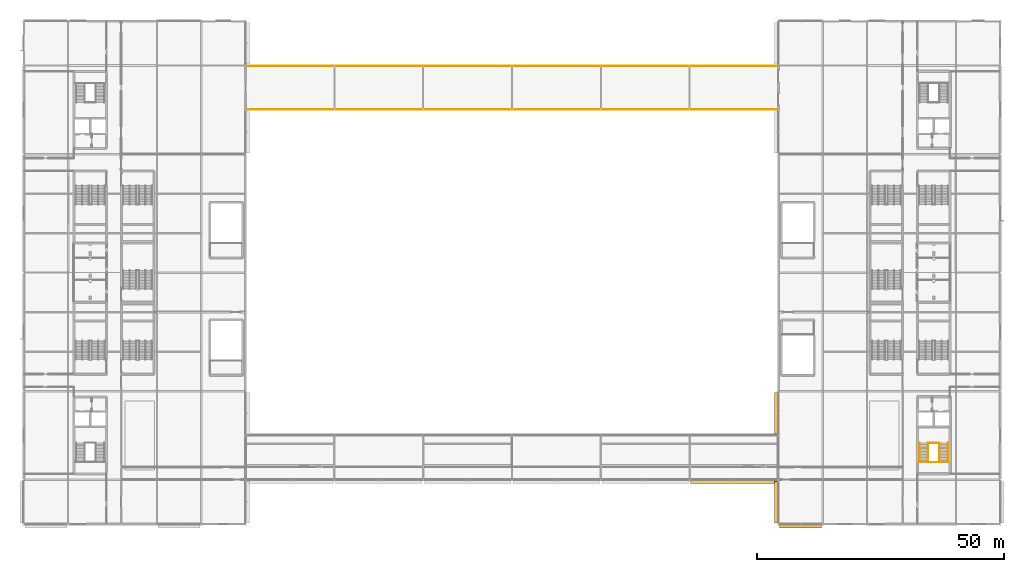
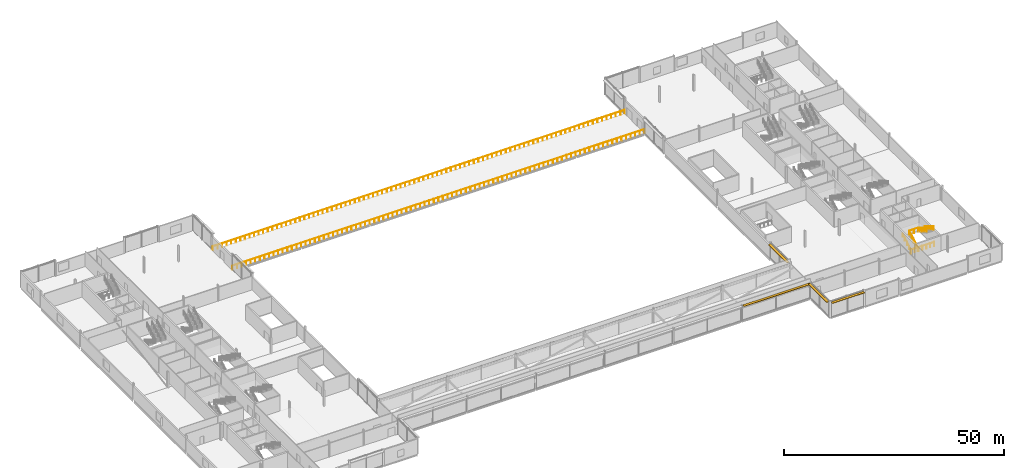
# One storey, part 69 of 73: 6 railings, 4 shading devices.
"""IFC4 building model written with IfcOpenShell, lengths in metres."""

from ifc_helpers import new_model, si_unit, direction, frame, origin, origin_2d, place, context, subcontext, project, spatial, rectangle, circle, extrude, material, type_object, element, save


model = new_model("IFC4")

# Units and contexts
model_context = context("Model", 3, precision=1e-05, world=origin(), true_north=direction((0.0, 1.0)))
body_context = subcontext(model_context, "Body", "Model", "MODEL_VIEW")
ifc_project = project(units=[si_unit("LENGTHUNIT", "METRE"), si_unit("AREAUNIT", "SQUARE_METRE"), si_unit("VOLUMEUNIT", "CUBIC_METRE"), si_unit("PLANEANGLEUNIT", "RADIAN"), si_unit("MASSUNIT", "GRAM", prefix="KILO")], contexts=[model_context])

# Site, building, storey
site_placement = place(None, origin())
site = spatial("IfcSite", under=ifc_project, at=site_placement, CompositionType="ELEMENT")
building_placement = place(site_placement, origin())
building = spatial("IfcBuilding", under=site, at=building_placement, Name="Kisiwana Market Hall", CompositionType="ELEMENT")
storey_placement = place(building_placement, frame((0.0, 0.0, 33.300048828125)))
storey = spatial("IfcBuildingStorey", under=building, at=storey_placement, Name="L07", CompositionType="ELEMENT", Elevation=33.300048828125)

# Railings
ifc_material_1 = material(Name="Steel S275", Category="steel")
railing_type_1 = type_object("IfcRailingType", Name="RL-BALUST-1100", PredefinedType="BALUSTRADE", material=ifc_material_1)
railing_1_placement = place(storey_placement, frame((45.050048828125, 93.080078125, 0.0)))
element("IfcRailing", 1, at=railing_1_placement, inside=storey, type_object=railing_type_1, Name="L07 North Skybridge Terrace Inner Edge Guardrail 1100 RL-1698", PredefinedType="BALUSTRADE", context=body_context, shape_type="SweptSolid", body=[
    extrude(circle(Radius=0.02392578125, at=origin_2d()), frame((0.0, 0.0, 1.076171875), z_axis=(1.0, 0.0, 0.0), x_axis=(0.0, 1.0, 0.0)), (0.0, 0.0, 1.0), 107.89990234375),
    extrude(circle(Radius=0.02099609375, at=origin_2d()), origin(), (0.0, 0.0, 1.0), 1.052001953125),
    extrude(circle(Radius=0.02099609375, at=origin_2d()), frame((1.198974609375, 0.0, 0.0)), (0.0, 0.0, 1.0), 1.052001953125),
    extrude(circle(Radius=0.02099609375, at=origin_2d()), frame((2.397705078125, 0.0, 0.0)), (0.0, 0.0, 1.0), 1.052001953125),
    extrude(circle(Radius=0.02099609375, at=origin_2d()), frame((3.5966796875, 0.0, 0.0)), (0.0, 0.0, 1.0), 1.052001953125),
    extrude(circle(Radius=0.02099609375, at=origin_2d()), frame((4.795654296875, 0.0, 0.0)), (0.0, 0.0, 1.0), 1.052001953125),
    extrude(circle(Radius=0.02099609375, at=origin_2d()), frame((5.994384765625, 0.0, 0.0)), (0.0, 0.0, 1.0), 1.052001953125),
    extrude(circle(Radius=0.02099609375, at=origin_2d()), frame((7.193359375, 0.0, 0.0)), (0.0, 0.0, 1.0), 1.052001953125),
    extrude(circle(Radius=0.02099609375, at=origin_2d()), frame((8.392333984375, 0.0, 0.0)), (0.0, 0.0, 1.0), 1.052001953125),
    extrude(circle(Radius=0.02099609375, at=origin_2d()), frame((9.591064453125, 0.0, 0.0)), (0.0, 0.0, 1.0), 1.052001953125),
    extrude(circle(Radius=0.02099609375, at=origin_2d()), frame((10.7900390625, 0.0, 0.0)), (0.0, 0.0, 1.0), 1.052001953125),
    extrude(circle(Radius=0.02099609375, at=origin_2d()), frame((11.98876953125, 0.0, 0.0)), (0.0, 0.0, 1.0), 1.052001953125),
    extrude(circle(Radius=0.02099609375, at=origin_2d()), frame((13.187744140625, 0.0, 0.0)), (0.0, 0.0, 1.0), 1.052001953125),
    extrude(circle(Radius=0.02099609375, at=origin_2d()), frame((14.38671875, 0.0, 0.0)), (0.0, 0.0, 1.0), 1.052001953125),
    extrude(circle(Radius=0.02099609375, at=origin_2d()), frame((15.58544921875, 0.0, 0.0)), (0.0, 0.0, 1.0), 1.052001953125),
    extrude(circle(Radius=0.02099609375, at=origin_2d()), frame((16.784423828125, 0.0, 0.0)), (0.0, 0.0, 1.0), 1.052001953125),
    extrude(circle(Radius=0.02099609375, at=origin_2d()), frame((17.9833984375, 0.0, 0.0)), (0.0, 0.0, 1.0), 1.052001953125),
    extrude(circle(Radius=0.02099609375, at=origin_2d()), frame((19.18212890625, 0.0, 0.0)), (0.0, 0.0, 1.0), 1.052001953125),
    extrude(circle(Radius=0.02099609375, at=origin_2d()), frame((20.381103515625, 0.0, 0.0)), (0.0, 0.0, 1.0), 1.052001953125),
    extrude(circle(Radius=0.02099609375, at=origin_2d()), frame((21.580078125, 0.0, 0.0)), (0.0, 0.0, 1.0), 1.052001953125),
    extrude(circle(Radius=0.02099609375, at=origin_2d()), frame((22.77880859375, 0.0, 0.0)), (0.0, 0.0, 1.0), 1.052001953125),
    extrude(circle(Radius=0.02099609375, at=origin_2d()), frame((23.977783203125, 0.0, 0.0)), (0.0, 0.0, 1.0), 1.052001953125),
    extrude(circle(Radius=0.02099609375, at=origin_2d()), frame((25.1767578125, 0.0, 0.0)), (0.0, 0.0, 1.0), 1.052001953125),
    extrude(circle(Radius=0.02099609375, at=origin_2d()), frame((26.37548828125, 0.0, 0.0)), (0.0, 0.0, 1.0), 1.052001953125),
    extrude(circle(Radius=0.02099609375, at=origin_2d()), frame((27.574462890625, 0.0, 0.0)), (0.0, 0.0, 1.0), 1.052001953125),
    extrude(circle(Radius=0.02099609375, at=origin_2d()), frame((28.773193359375, 0.0, 0.0)), (0.0, 0.0, 1.0), 1.052001953125),
    extrude(circle(Radius=0.02099609375, at=origin_2d()), frame((29.97216796875, 0.0, 0.0)), (0.0, 0.0, 1.0), 1.052001953125),
    extrude(circle(Radius=0.02099609375, at=origin_2d()), frame((31.171142578125, 0.0, 0.0)), (0.0, 0.0, 1.0), 1.052001953125),
    extrude(circle(Radius=0.02099609375, at=origin_2d()), frame((32.369873046875, 0.0, 0.0)), (0.0, 0.0, 1.0), 1.052001953125),
    extrude(circle(Radius=0.02099609375, at=origin_2d()), frame((33.56884765625, 0.0, 0.0)), (0.0, 0.0, 1.0), 1.052001953125),
    extrude(circle(Radius=0.02099609375, at=origin_2d()), frame((34.767822265625, 0.0, 0.0)), (0.0, 0.0, 1.0), 1.052001953125),
    extrude(circle(Radius=0.02099609375, at=origin_2d()), frame((35.966552734375, 0.0, 0.0)), (0.0, 0.0, 1.0), 1.052001953125),
    extrude(circle(Radius=0.02099609375, at=origin_2d()), frame((37.16552734375, 0.0, 0.0)), (0.0, 0.0, 1.0), 1.052001953125),
    extrude(circle(Radius=0.02099609375, at=origin_2d()), frame((38.364501953125, 0.0, 0.0)), (0.0, 0.0, 1.0), 1.052001953125),
    extrude(circle(Radius=0.02099609375, at=origin_2d()), frame((39.563232421875, 0.0, 0.0)), (0.0, 0.0, 1.0), 1.052001953125),
    extrude(circle(Radius=0.02099609375, at=origin_2d()), frame((40.76220703125, 0.0, 0.0)), (0.0, 0.0, 1.0), 1.052001953125),
    extrude(circle(Radius=0.02099609375, at=origin_2d()), frame((41.961181640625, 0.0, 0.0)), (0.0, 0.0, 1.0), 1.052001953125),
    extrude(circle(Radius=0.02099609375, at=origin_2d()), frame((43.159912109375, 0.0, 0.0)), (0.0, 0.0, 1.0), 1.052001953125),
    extrude(circle(Radius=0.02099609375, at=origin_2d()), frame((44.35888671875, 0.0, 0.0)), (0.0, 0.0, 1.0), 1.052001953125),
    extrude(circle(Radius=0.02099609375, at=origin_2d()), frame((45.5576171875, 0.0, 0.0)), (0.0, 0.0, 1.0), 1.052001953125),
    extrude(circle(Radius=0.02099609375, at=origin_2d()), frame((46.756591796875, 0.0, 0.0)), (0.0, 0.0, 1.0), 1.052001953125),
    extrude(circle(Radius=0.02099609375, at=origin_2d()), frame((47.95556640625, 0.0, 0.0)), (0.0, 0.0, 1.0), 1.052001953125),
    extrude(circle(Radius=0.02099609375, at=origin_2d()), frame((49.154296875, 0.0, 0.0)), (0.0, 0.0, 1.0), 1.052001953125),
    extrude(circle(Radius=0.02099609375, at=origin_2d()), frame((50.353271484375, 0.0, 0.0)), (0.0, 0.0, 1.0), 1.052001953125),
    extrude(circle(Radius=0.02099609375, at=origin_2d()), frame((51.55224609375, 0.0, 0.0)), (0.0, 0.0, 1.0), 1.052001953125),
    extrude(circle(Radius=0.02099609375, at=origin_2d()), frame((52.7509765625, 0.0, 0.0)), (0.0, 0.0, 1.0), 1.052001953125),
    extrude(circle(Radius=0.02099609375, at=origin_2d()), frame((53.949951171875, 0.0, 0.0)), (0.0, 0.0, 1.0), 1.052001953125),
    extrude(circle(Radius=0.02099609375, at=origin_2d()), frame((55.14892578125, 0.0, 0.0)), (0.0, 0.0, 1.0), 1.052001953125),
    extrude(circle(Radius=0.02099609375, at=origin_2d()), frame((56.34765625, 0.0, 0.0)), (0.0, 0.0, 1.0), 1.052001953125),
    extrude(circle(Radius=0.02099609375, at=origin_2d()), frame((57.546630859375, 0.0, 0.0)), (0.0, 0.0, 1.0), 1.052001953125),
    extrude(circle(Radius=0.02099609375, at=origin_2d()), frame((58.74560546875, 0.0, 0.0)), (0.0, 0.0, 1.0), 1.052001953125),
    extrude(circle(Radius=0.02099609375, at=origin_2d()), frame((59.9443359375, 0.0, 0.0)), (0.0, 0.0, 1.0), 1.052001953125),
    extrude(circle(Radius=0.02099609375, at=origin_2d()), frame((61.143310546875, 0.0, 0.0)), (0.0, 0.0, 1.0), 1.052001953125),
    extrude(circle(Radius=0.02099609375, at=origin_2d()), frame((62.34228515625, 0.0, 0.0)), (0.0, 0.0, 1.0), 1.052001953125),
    extrude(circle(Radius=0.02099609375, at=origin_2d()), frame((63.541015625, 0.0, 0.0)), (0.0, 0.0, 1.0), 1.052001953125),
    extrude(circle(Radius=0.02099609375, at=origin_2d()), frame((64.739990234375, 0.0, 0.0)), (0.0, 0.0, 1.0), 1.052001953125),
    extrude(circle(Radius=0.02099609375, at=origin_2d()), frame((65.938720703125, 0.0, 0.0)), (0.0, 0.0, 1.0), 1.052001953125),
    extrude(circle(Radius=0.02099609375, at=origin_2d()), frame((67.1376953125, 0.0, 0.0)), (0.0, 0.0, 1.0), 1.052001953125),
    extrude(circle(Radius=0.02099609375, at=origin_2d()), frame((68.336669921875, 0.0, 0.0)), (0.0, 0.0, 1.0), 1.052001953125),
    extrude(circle(Radius=0.02099609375, at=origin_2d()), frame((69.535400390625, 0.0, 0.0)), (0.0, 0.0, 1.0), 1.052001953125),
    extrude(circle(Radius=0.02099609375, at=origin_2d()), frame((70.734375, 0.0, 0.0)), (0.0, 0.0, 1.0), 1.052001953125),
    extrude(circle(Radius=0.02099609375, at=origin_2d()), frame((71.933349609375, 0.0, 0.0)), (0.0, 0.0, 1.0), 1.052001953125),
    extrude(circle(Radius=0.02099609375, at=origin_2d()), frame((73.132080078125, 0.0, 0.0)), (0.0, 0.0, 1.0), 1.052001953125),
    extrude(circle(Radius=0.02099609375, at=origin_2d()), frame((74.3310546875, 0.0, 0.0)), (0.0, 0.0, 1.0), 1.052001953125),
    extrude(circle(Radius=0.02099609375, at=origin_2d()), frame((75.530029296875, 0.0, 0.0)), (0.0, 0.0, 1.0), 1.052001953125),
    extrude(circle(Radius=0.02099609375, at=origin_2d()), frame((76.728759765625, 0.0, 0.0)), (0.0, 0.0, 1.0), 1.052001953125),
    extrude(circle(Radius=0.02099609375, at=origin_2d()), frame((77.927734375, 0.0, 0.0)), (0.0, 0.0, 1.0), 1.052001953125),
    extrude(circle(Radius=0.02099609375, at=origin_2d()), frame((79.126708984375, 0.0, 0.0)), (0.0, 0.0, 1.0), 1.052001953125),
    extrude(circle(Radius=0.02099609375, at=origin_2d()), frame((80.325439453125, 0.0, 0.0)), (0.0, 0.0, 1.0), 1.052001953125),
    extrude(circle(Radius=0.02099609375, at=origin_2d()), frame((81.5244140625, 0.0, 0.0)), (0.0, 0.0, 1.0), 1.052001953125),
    extrude(circle(Radius=0.02099609375, at=origin_2d()), frame((82.72314453125, 0.0, 0.0)), (0.0, 0.0, 1.0), 1.052001953125),
    extrude(circle(Radius=0.02099609375, at=origin_2d()), frame((83.922119140625, 0.0, 0.0)), (0.0, 0.0, 1.0), 1.052001953125),
    extrude(circle(Radius=0.02099609375, at=origin_2d()), frame((85.12109375, 0.0, 0.0)), (0.0, 0.0, 1.0), 1.052001953125),
    extrude(circle(Radius=0.02099609375, at=origin_2d()), frame((86.31982421875, 0.0, 0.0)), (0.0, 0.0, 1.0), 1.052001953125),
    extrude(circle(Radius=0.02099609375, at=origin_2d()), frame((87.518798828125, 0.0, 0.0)), (0.0, 0.0, 1.0), 1.052001953125),
    extrude(circle(Radius=0.02099609375, at=origin_2d()), frame((88.7177734375, 0.0, 0.0)), (0.0, 0.0, 1.0), 1.052001953125),
    extrude(circle(Radius=0.02099609375, at=origin_2d()), frame((89.91650390625, 0.0, 0.0)), (0.0, 0.0, 1.0), 1.052001953125),
    extrude(circle(Radius=0.02099609375, at=origin_2d()), frame((91.115478515625, 0.0, 0.0)), (0.0, 0.0, 1.0), 1.052001953125),
    extrude(circle(Radius=0.02099609375, at=origin_2d()), frame((92.314453125, 0.0, 0.0)), (0.0, 0.0, 1.0), 1.052001953125),
    extrude(circle(Radius=0.02099609375, at=origin_2d()), frame((93.51318359375, 0.0, 0.0)), (0.0, 0.0, 1.0), 1.052001953125),
    extrude(circle(Radius=0.02099609375, at=origin_2d()), frame((94.712158203125, 0.0, 0.0)), (0.0, 0.0, 1.0), 1.052001953125),
    extrude(circle(Radius=0.02099609375, at=origin_2d()), frame((95.9111328125, 0.0, 0.0)), (0.0, 0.0, 1.0), 1.052001953125),
    extrude(circle(Radius=0.02099609375, at=origin_2d()), frame((97.10986328125, 0.0, 0.0)), (0.0, 0.0, 1.0), 1.052001953125),
    extrude(circle(Radius=0.02099609375, at=origin_2d()), frame((98.308837890625, 0.0, 0.0)), (0.0, 0.0, 1.0), 1.052001953125),
    extrude(circle(Radius=0.02099609375, at=origin_2d()), frame((99.507568359375, 0.0, 0.0)), (0.0, 0.0, 1.0), 1.052001953125),
    extrude(circle(Radius=0.02099609375, at=origin_2d()), frame((100.70654296875, 0.0, 0.0)), (0.0, 0.0, 1.0), 1.052001953125),
    extrude(circle(Radius=0.02099609375, at=origin_2d()), frame((101.905517578125, 0.0, 0.0)), (0.0, 0.0, 1.0), 1.052001953125),
    extrude(circle(Radius=0.02099609375, at=origin_2d()), frame((103.104248046875, 0.0, 0.0)), (0.0, 0.0, 1.0), 1.052001953125),
    extrude(circle(Radius=0.02099609375, at=origin_2d()), frame((104.30322265625, 0.0, 0.0)), (0.0, 0.0, 1.0), 1.052001953125),
    extrude(circle(Radius=0.02099609375, at=origin_2d()), frame((105.502197265625, 0.0, 0.0)), (0.0, 0.0, 1.0), 1.052001953125),
    extrude(circle(Radius=0.02099609375, at=origin_2d()), frame((106.700927734375, 0.0, 0.0)), (0.0, 0.0, 1.0), 1.052001953125),
    extrude(circle(Radius=0.02099609375, at=origin_2d()), frame((107.89990234375, 0.0, 0.0)), (0.0, 0.0, 1.0), 1.052001953125),
])
railing_2_placement = place(storey_placement, frame((45.050048828125, 101.919921875, 0.0)))
element("IfcRailing", 2, at=railing_2_placement, inside=storey, type_object=railing_type_1, Name="L07 North Skybridge Terrace Outer Edge Guardrail 1100 RL-1699", PredefinedType="BALUSTRADE", context=body_context, shape_type="SweptSolid", body=[
    extrude(circle(Radius=0.02392578125, at=origin_2d()), frame((0.0, 0.0, 1.076171875), z_axis=(1.0, 0.0, 0.0), x_axis=(0.0, 1.0, 0.0)), (0.0, 0.0, 1.0), 107.89990234375),
    extrude(circle(Radius=0.02099609375, at=origin_2d()), origin(), (0.0, 0.0, 1.0), 1.052001953125),
    extrude(circle(Radius=0.02099609375, at=origin_2d()), frame((1.198974609375, 0.0, 0.0)), (0.0, 0.0, 1.0), 1.052001953125),
    extrude(circle(Radius=0.02099609375, at=origin_2d()), frame((2.397705078125, 0.0, 0.0)), (0.0, 0.0, 1.0), 1.052001953125),
    extrude(circle(Radius=0.02099609375, at=origin_2d()), frame((3.5966796875, 0.0, 0.0)), (0.0, 0.0, 1.0), 1.052001953125),
    extrude(circle(Radius=0.02099609375, at=origin_2d()), frame((4.795654296875, 0.0, 0.0)), (0.0, 0.0, 1.0), 1.052001953125),
    extrude(circle(Radius=0.02099609375, at=origin_2d()), frame((5.994384765625, 0.0, 0.0)), (0.0, 0.0, 1.0), 1.052001953125),
    extrude(circle(Radius=0.02099609375, at=origin_2d()), frame((7.193359375, 0.0, 0.0)), (0.0, 0.0, 1.0), 1.052001953125),
    extrude(circle(Radius=0.02099609375, at=origin_2d()), frame((8.392333984375, 0.0, 0.0)), (0.0, 0.0, 1.0), 1.052001953125),
    extrude(circle(Radius=0.02099609375, at=origin_2d()), frame((9.591064453125, 0.0, 0.0)), (0.0, 0.0, 1.0), 1.052001953125),
    extrude(circle(Radius=0.02099609375, at=origin_2d()), frame((10.7900390625, 0.0, 0.0)), (0.0, 0.0, 1.0), 1.052001953125),
    extrude(circle(Radius=0.02099609375, at=origin_2d()), frame((11.98876953125, 0.0, 0.0)), (0.0, 0.0, 1.0), 1.052001953125),
    extrude(circle(Radius=0.02099609375, at=origin_2d()), frame((13.187744140625, 0.0, 0.0)), (0.0, 0.0, 1.0), 1.052001953125),
    extrude(circle(Radius=0.02099609375, at=origin_2d()), frame((14.38671875, 0.0, 0.0)), (0.0, 0.0, 1.0), 1.052001953125),
    extrude(circle(Radius=0.02099609375, at=origin_2d()), frame((15.58544921875, 0.0, 0.0)), (0.0, 0.0, 1.0), 1.052001953125),
    extrude(circle(Radius=0.02099609375, at=origin_2d()), frame((16.784423828125, 0.0, 0.0)), (0.0, 0.0, 1.0), 1.052001953125),
    extrude(circle(Radius=0.02099609375, at=origin_2d()), frame((17.9833984375, 0.0, 0.0)), (0.0, 0.0, 1.0), 1.052001953125),
    extrude(circle(Radius=0.02099609375, at=origin_2d()), frame((19.18212890625, 0.0, 0.0)), (0.0, 0.0, 1.0), 1.052001953125),
    extrude(circle(Radius=0.02099609375, at=origin_2d()), frame((20.381103515625, 0.0, 0.0)), (0.0, 0.0, 1.0), 1.052001953125),
    extrude(circle(Radius=0.02099609375, at=origin_2d()), frame((21.580078125, 0.0, 0.0)), (0.0, 0.0, 1.0), 1.052001953125),
    extrude(circle(Radius=0.02099609375, at=origin_2d()), frame((22.77880859375, 0.0, 0.0)), (0.0, 0.0, 1.0), 1.052001953125),
    extrude(circle(Radius=0.02099609375, at=origin_2d()), frame((23.977783203125, 0.0, 0.0)), (0.0, 0.0, 1.0), 1.052001953125),
    extrude(circle(Radius=0.02099609375, at=origin_2d()), frame((25.1767578125, 0.0, 0.0)), (0.0, 0.0, 1.0), 1.052001953125),
    extrude(circle(Radius=0.02099609375, at=origin_2d()), frame((26.37548828125, 0.0, 0.0)), (0.0, 0.0, 1.0), 1.052001953125),
    extrude(circle(Radius=0.02099609375, at=origin_2d()), frame((27.574462890625, 0.0, 0.0)), (0.0, 0.0, 1.0), 1.052001953125),
    extrude(circle(Radius=0.02099609375, at=origin_2d()), frame((28.773193359375, 0.0, 0.0)), (0.0, 0.0, 1.0), 1.052001953125),
    extrude(circle(Radius=0.02099609375, at=origin_2d()), frame((29.97216796875, 0.0, 0.0)), (0.0, 0.0, 1.0), 1.052001953125),
    extrude(circle(Radius=0.02099609375, at=origin_2d()), frame((31.171142578125, 0.0, 0.0)), (0.0, 0.0, 1.0), 1.052001953125),
    extrude(circle(Radius=0.02099609375, at=origin_2d()), frame((32.369873046875, 0.0, 0.0)), (0.0, 0.0, 1.0), 1.052001953125),
    extrude(circle(Radius=0.02099609375, at=origin_2d()), frame((33.56884765625, 0.0, 0.0)), (0.0, 0.0, 1.0), 1.052001953125),
    extrude(circle(Radius=0.02099609375, at=origin_2d()), frame((34.767822265625, 0.0, 0.0)), (0.0, 0.0, 1.0), 1.052001953125),
    extrude(circle(Radius=0.02099609375, at=origin_2d()), frame((35.966552734375, 0.0, 0.0)), (0.0, 0.0, 1.0), 1.052001953125),
    extrude(circle(Radius=0.02099609375, at=origin_2d()), frame((37.16552734375, 0.0, 0.0)), (0.0, 0.0, 1.0), 1.052001953125),
    extrude(circle(Radius=0.02099609375, at=origin_2d()), frame((38.364501953125, 0.0, 0.0)), (0.0, 0.0, 1.0), 1.052001953125),
    extrude(circle(Radius=0.02099609375, at=origin_2d()), frame((39.563232421875, 0.0, 0.0)), (0.0, 0.0, 1.0), 1.052001953125),
    extrude(circle(Radius=0.02099609375, at=origin_2d()), frame((40.76220703125, 0.0, 0.0)), (0.0, 0.0, 1.0), 1.052001953125),
    extrude(circle(Radius=0.02099609375, at=origin_2d()), frame((41.961181640625, 0.0, 0.0)), (0.0, 0.0, 1.0), 1.052001953125),
    extrude(circle(Radius=0.02099609375, at=origin_2d()), frame((43.159912109375, 0.0, 0.0)), (0.0, 0.0, 1.0), 1.052001953125),
    extrude(circle(Radius=0.02099609375, at=origin_2d()), frame((44.35888671875, 0.0, 0.0)), (0.0, 0.0, 1.0), 1.052001953125),
    extrude(circle(Radius=0.02099609375, at=origin_2d()), frame((45.5576171875, 0.0, 0.0)), (0.0, 0.0, 1.0), 1.052001953125),
    extrude(circle(Radius=0.02099609375, at=origin_2d()), frame((46.756591796875, 0.0, 0.0)), (0.0, 0.0, 1.0), 1.052001953125),
    extrude(circle(Radius=0.02099609375, at=origin_2d()), frame((47.95556640625, 0.0, 0.0)), (0.0, 0.0, 1.0), 1.052001953125),
    extrude(circle(Radius=0.02099609375, at=origin_2d()), frame((49.154296875, 0.0, 0.0)), (0.0, 0.0, 1.0), 1.052001953125),
    extrude(circle(Radius=0.02099609375, at=origin_2d()), frame((50.353271484375, 0.0, 0.0)), (0.0, 0.0, 1.0), 1.052001953125),
    extrude(circle(Radius=0.02099609375, at=origin_2d()), frame((51.55224609375, 0.0, 0.0)), (0.0, 0.0, 1.0), 1.052001953125),
    extrude(circle(Radius=0.02099609375, at=origin_2d()), frame((52.7509765625, 0.0, 0.0)), (0.0, 0.0, 1.0), 1.052001953125),
    extrude(circle(Radius=0.02099609375, at=origin_2d()), frame((53.949951171875, 0.0, 0.0)), (0.0, 0.0, 1.0), 1.052001953125),
    extrude(circle(Radius=0.02099609375, at=origin_2d()), frame((55.14892578125, 0.0, 0.0)), (0.0, 0.0, 1.0), 1.052001953125),
    extrude(circle(Radius=0.02099609375, at=origin_2d()), frame((56.34765625, 0.0, 0.0)), (0.0, 0.0, 1.0), 1.052001953125),
    extrude(circle(Radius=0.02099609375, at=origin_2d()), frame((57.546630859375, 0.0, 0.0)), (0.0, 0.0, 1.0), 1.052001953125),
    extrude(circle(Radius=0.02099609375, at=origin_2d()), frame((58.74560546875, 0.0, 0.0)), (0.0, 0.0, 1.0), 1.052001953125),
    extrude(circle(Radius=0.02099609375, at=origin_2d()), frame((59.9443359375, 0.0, 0.0)), (0.0, 0.0, 1.0), 1.052001953125),
    extrude(circle(Radius=0.02099609375, at=origin_2d()), frame((61.143310546875, 0.0, 0.0)), (0.0, 0.0, 1.0), 1.052001953125),
    extrude(circle(Radius=0.02099609375, at=origin_2d()), frame((62.34228515625, 0.0, 0.0)), (0.0, 0.0, 1.0), 1.052001953125),
    extrude(circle(Radius=0.02099609375, at=origin_2d()), frame((63.541015625, 0.0, 0.0)), (0.0, 0.0, 1.0), 1.052001953125),
    extrude(circle(Radius=0.02099609375, at=origin_2d()), frame((64.739990234375, 0.0, 0.0)), (0.0, 0.0, 1.0), 1.052001953125),
    extrude(circle(Radius=0.02099609375, at=origin_2d()), frame((65.938720703125, 0.0, 0.0)), (0.0, 0.0, 1.0), 1.052001953125),
    extrude(circle(Radius=0.02099609375, at=origin_2d()), frame((67.1376953125, 0.0, 0.0)), (0.0, 0.0, 1.0), 1.052001953125),
    extrude(circle(Radius=0.02099609375, at=origin_2d()), frame((68.336669921875, 0.0, 0.0)), (0.0, 0.0, 1.0), 1.052001953125),
    extrude(circle(Radius=0.02099609375, at=origin_2d()), frame((69.535400390625, 0.0, 0.0)), (0.0, 0.0, 1.0), 1.052001953125),
    extrude(circle(Radius=0.02099609375, at=origin_2d()), frame((70.734375, 0.0, 0.0)), (0.0, 0.0, 1.0), 1.052001953125),
    extrude(circle(Radius=0.02099609375, at=origin_2d()), frame((71.933349609375, 0.0, 0.0)), (0.0, 0.0, 1.0), 1.052001953125),
    extrude(circle(Radius=0.02099609375, at=origin_2d()), frame((73.132080078125, 0.0, 0.0)), (0.0, 0.0, 1.0), 1.052001953125),
    extrude(circle(Radius=0.02099609375, at=origin_2d()), frame((74.3310546875, 0.0, 0.0)), (0.0, 0.0, 1.0), 1.052001953125),
    extrude(circle(Radius=0.02099609375, at=origin_2d()), frame((75.530029296875, 0.0, 0.0)), (0.0, 0.0, 1.0), 1.052001953125),
    extrude(circle(Radius=0.02099609375, at=origin_2d()), frame((76.728759765625, 0.0, 0.0)), (0.0, 0.0, 1.0), 1.052001953125),
    extrude(circle(Radius=0.02099609375, at=origin_2d()), frame((77.927734375, 0.0, 0.0)), (0.0, 0.0, 1.0), 1.052001953125),
    extrude(circle(Radius=0.02099609375, at=origin_2d()), frame((79.126708984375, 0.0, 0.0)), (0.0, 0.0, 1.0), 1.052001953125),
    extrude(circle(Radius=0.02099609375, at=origin_2d()), frame((80.325439453125, 0.0, 0.0)), (0.0, 0.0, 1.0), 1.052001953125),
    extrude(circle(Radius=0.02099609375, at=origin_2d()), frame((81.5244140625, 0.0, 0.0)), (0.0, 0.0, 1.0), 1.052001953125),
    extrude(circle(Radius=0.02099609375, at=origin_2d()), frame((82.72314453125, 0.0, 0.0)), (0.0, 0.0, 1.0), 1.052001953125),
    extrude(circle(Radius=0.02099609375, at=origin_2d()), frame((83.922119140625, 0.0, 0.0)), (0.0, 0.0, 1.0), 1.052001953125),
    extrude(circle(Radius=0.02099609375, at=origin_2d()), frame((85.12109375, 0.0, 0.0)), (0.0, 0.0, 1.0), 1.052001953125),
    extrude(circle(Radius=0.02099609375, at=origin_2d()), frame((86.31982421875, 0.0, 0.0)), (0.0, 0.0, 1.0), 1.052001953125),
    extrude(circle(Radius=0.02099609375, at=origin_2d()), frame((87.518798828125, 0.0, 0.0)), (0.0, 0.0, 1.0), 1.052001953125),
    extrude(circle(Radius=0.02099609375, at=origin_2d()), frame((88.7177734375, 0.0, 0.0)), (0.0, 0.0, 1.0), 1.052001953125),
    extrude(circle(Radius=0.02099609375, at=origin_2d()), frame((89.91650390625, 0.0, 0.0)), (0.0, 0.0, 1.0), 1.052001953125),
    extrude(circle(Radius=0.02099609375, at=origin_2d()), frame((91.115478515625, 0.0, 0.0)), (0.0, 0.0, 1.0), 1.052001953125),
    extrude(circle(Radius=0.02099609375, at=origin_2d()), frame((92.314453125, 0.0, 0.0)), (0.0, 0.0, 1.0), 1.052001953125),
    extrude(circle(Radius=0.02099609375, at=origin_2d()), frame((93.51318359375, 0.0, 0.0)), (0.0, 0.0, 1.0), 1.052001953125),
    extrude(circle(Radius=0.02099609375, at=origin_2d()), frame((94.712158203125, 0.0, 0.0)), (0.0, 0.0, 1.0), 1.052001953125),
    extrude(circle(Radius=0.02099609375, at=origin_2d()), frame((95.9111328125, 0.0, 0.0)), (0.0, 0.0, 1.0), 1.052001953125),
    extrude(circle(Radius=0.02099609375, at=origin_2d()), frame((97.10986328125, 0.0, 0.0)), (0.0, 0.0, 1.0), 1.052001953125),
    extrude(circle(Radius=0.02099609375, at=origin_2d()), frame((98.308837890625, 0.0, 0.0)), (0.0, 0.0, 1.0), 1.052001953125),
    extrude(circle(Radius=0.02099609375, at=origin_2d()), frame((99.507568359375, 0.0, 0.0)), (0.0, 0.0, 1.0), 1.052001953125),
    extrude(circle(Radius=0.02099609375, at=origin_2d()), frame((100.70654296875, 0.0, 0.0)), (0.0, 0.0, 1.0), 1.052001953125),
    extrude(circle(Radius=0.02099609375, at=origin_2d()), frame((101.905517578125, 0.0, 0.0)), (0.0, 0.0, 1.0), 1.052001953125),
    extrude(circle(Radius=0.02099609375, at=origin_2d()), frame((103.104248046875, 0.0, 0.0)), (0.0, 0.0, 1.0), 1.052001953125),
    extrude(circle(Radius=0.02099609375, at=origin_2d()), frame((104.30322265625, 0.0, 0.0)), (0.0, 0.0, 1.0), 1.052001953125),
    extrude(circle(Radius=0.02099609375, at=origin_2d()), frame((105.502197265625, 0.0, 0.0)), (0.0, 0.0, 1.0), 1.052001953125),
    extrude(circle(Radius=0.02099609375, at=origin_2d()), frame((106.700927734375, 0.0, 0.0)), (0.0, 0.0, 1.0), 1.052001953125),
    extrude(circle(Radius=0.02099609375, at=origin_2d()), frame((107.89990234375, 0.0, 0.0)), (0.0, 0.0, 1.0), 1.052001953125),
])
ifc_material_2 = material(Name="Steel S275", Category="steel")
railing_type_2 = type_object("IfcRailingType", Name="RL-GUARD-1100", PredefinedType="GUARDRAIL", material=ifc_material_2)
railing_3_placement = place(storey_placement, frame((183.35009765625, 21.6494140625, 0.0)))
element("IfcRailing", 3, at=railing_3_placement, inside=storey, type_object=railing_type_2, Name="Stair ST-E2-L07 inner-well guardrail (RL-1059)", PredefinedType="GUARDRAIL", context=body_context, shape_type="SweptSolid", body=[
    extrude(circle(Radius=0.02392578125, at=origin_2d()), frame((0.0, 0.0, 1.076171875), z_axis=(0.0, 0.86252362769, 0.506016789916), x_axis=(-1.0, 0.0, 0.0)), (0.0, 0.0, 1.0), 4.446533203125),
    extrude(circle(Radius=0.02392578125, at=origin_2d()), frame((0.0, 3.835205078125, 3.326171875), z_axis=(1.0, 0.0, 0.0), x_axis=(0.0, 1.0, 0.0)), (0.0, 0.0, 1.0), 2.2998046875),
    extrude(circle(Radius=0.02392578125, at=origin_2d()), frame((2.2998046875, 3.835205078125, 3.326171875), z_axis=(0.0, -0.86252362769, 0.506016789916), x_axis=(1.0, 0.0, 0.0)), (0.0, 0.0, 1.0), 4.446533203125),
    extrude(circle(Radius=0.02099609375, at=origin_2d()), origin(), (0.0, 0.0, 1.0), 1.052001953125),
    extrude(circle(Radius=0.02099609375, at=origin_2d()), frame((0.0, 0.958740234375, 0.5625)), (0.0, 0.0, 1.0), 1.052001953125),
    extrude(circle(Radius=0.02099609375, at=origin_2d()), frame((0.0, 1.91748046875, 1.125)), (0.0, 0.0, 1.0), 1.052001953125),
    extrude(circle(Radius=0.02099609375, at=origin_2d()), frame((0.0, 2.87646484375, 1.6875)), (0.0, 0.0, 1.0), 1.052001953125),
    extrude(circle(Radius=0.02099609375, at=origin_2d()), frame((0.0, 3.835205078125, 2.25)), (0.0, 0.0, 1.0), 1.052001953125),
    extrude(circle(Radius=0.02099609375, at=origin_2d()), frame((1.14990234375, 3.835205078125, 2.25)), (0.0, 0.0, 1.0), 1.052001953125),
    extrude(circle(Radius=0.02099609375, at=origin_2d()), frame((2.2998046875, 3.835205078125, 2.25)), (0.0, 0.0, 1.0), 1.052001953125),
    extrude(circle(Radius=0.02099609375, at=origin_2d()), frame((2.2998046875, 2.87646484375, 2.8125)), (0.0, 0.0, 1.0), 1.052001953125),
    extrude(circle(Radius=0.02099609375, at=origin_2d()), frame((2.2998046875, 1.91748046875, 3.375)), (0.0, 0.0, 1.0), 1.052001953125),
    extrude(circle(Radius=0.02099609375, at=origin_2d()), frame((2.2998046875, 0.958740234375, 3.9375)), (0.0, 0.0, 1.0), 1.052001953125),
    extrude(circle(Radius=0.02099609375, at=origin_2d()), frame((2.2998046875, 0.0, 4.5)), (0.0, 0.0, 1.0), 1.052001953125),
])
railing_4_placement = place(storey_placement, frame((181.47998046875, 21.569580078125, 0.0)))
element("IfcRailing", 4, at=railing_4_placement, inside=storey, type_object=railing_type_2, Name="Stair ST-E2-L07 landing edge guardrail (RL-1062)", PredefinedType="GUARDRAIL", context=body_context, shape_type="SweptSolid", body=[
    extrude(circle(Radius=0.02392578125, at=origin_2d()), frame((0.0, 0.0, 1.076171875), z_axis=(1.0, 0.0, 0.0), x_axis=(0.0, 1.0, 0.0)), (0.0, 0.0, 1.0), 6.0400390625),
    extrude(circle(Radius=0.02099609375, at=origin_2d()), origin(), (0.0, 0.0, 1.0), 1.052001953125),
    extrude(circle(Radius=0.02099609375, at=origin_2d()), frame((1.006591796875, 0.0, 0.0)), (0.0, 0.0, 1.0), 1.052001953125),
    extrude(circle(Radius=0.02099609375, at=origin_2d()), frame((2.013427734375, 0.0, 0.0)), (0.0, 0.0, 1.0), 1.052001953125),
    extrude(circle(Radius=0.02099609375, at=origin_2d()), frame((3.02001953125, 0.0, 0.0)), (0.0, 0.0, 1.0), 1.052001953125),
    extrude(circle(Radius=0.02099609375, at=origin_2d()), frame((4.026611328125, 0.0, 0.0)), (0.0, 0.0, 1.0), 1.052001953125),
    extrude(circle(Radius=0.02099609375, at=origin_2d()), frame((5.033447265625, 0.0, 0.0)), (0.0, 0.0, 1.0), 1.052001953125),
    extrude(circle(Radius=0.02099609375, at=origin_2d()), frame((6.0400390625, 0.0, 0.0)), (0.0, 0.0, 1.0), 1.052001953125),
])
ifc_material_3 = material(Name="Steel S275", Category="steel")
railing_type_3 = type_object("IfcRailingType", Name="RL-HAND-900", PredefinedType="HANDRAIL", material=ifc_material_3)
railing_5_placement = place(storey_placement, frame((181.610107421875, 21.6494140625, 0.0)))
element("IfcRailing", 5, at=railing_5_placement, inside=storey, type_object=railing_type_3, Name="Stair ST-E2-L07 flight 1 handrail (RL-1060)", PredefinedType="HANDRAIL", context=body_context, shape_type="SweptSolid", body=[
    extrude(circle(Radius=0.02392578125, at=origin_2d()), frame((0.0, 0.0, 0.8759765625), z_axis=(0.0, 0.86252362769, 0.506016789916), x_axis=(-1.0, 0.0, 0.0)), (0.0, 0.0, 1.0), 4.446533203125),
    extrude(circle(Radius=0.02099609375, at=origin_2d()), origin(), (0.0, 0.0, 1.0), 0.851806640625),
    extrude(circle(Radius=0.02099609375, at=origin_2d()), frame((0.0, 0.958740234375, 0.5625)), (0.0, 0.0, 1.0), 0.851806640625),
    extrude(circle(Radius=0.02099609375, at=origin_2d()), frame((0.0, 1.91748046875, 1.125)), (0.0, 0.0, 1.0), 0.851806640625),
    extrude(circle(Radius=0.02099609375, at=origin_2d()), frame((0.0, 2.87646484375, 1.6875)), (0.0, 0.0, 1.0), 0.851806640625),
    extrude(circle(Radius=0.02099609375, at=origin_2d()), frame((0.0, 3.835205078125, 2.25)), (0.0, 0.0, 1.0), 0.851806640625),
])
railing_6_placement = place(storey_placement, frame((187.389892578125, 25.484619140625, 2.25)))
element("IfcRailing", 6, at=railing_6_placement, inside=storey, type_object=railing_type_3, Name="Stair ST-E2-L07 flight 2 handrail (RL-1061)", PredefinedType="HANDRAIL", context=body_context, shape_type="SweptSolid", body=[
    extrude(circle(Radius=0.02392578125, at=origin_2d()), frame((0.0, 0.0, 0.8759765625), z_axis=(0.0, -0.86252362769, 0.506016789916), x_axis=(1.0, 0.0, 0.0)), (0.0, 0.0, 1.0), 4.446533203125),
    extrude(circle(Radius=0.02099609375, at=origin_2d()), origin(), (0.0, 0.0, 1.0), 0.851806640625),
    extrude(circle(Radius=0.02099609375, at=origin_2d()), frame((0.0, -0.958740234375, 0.5625)), (0.0, 0.0, 1.0), 0.851806640625),
    extrude(circle(Radius=0.02099609375, at=origin_2d()), frame((0.0, -1.91748046875, 1.125)), (0.0, 0.0, 1.0), 0.851806640625),
    extrude(circle(Radius=0.02099609375, at=origin_2d()), frame((0.0, -2.87646484375, 1.6875)), (0.0, 0.0, 1.0), 0.851806640625),
    extrude(circle(Radius=0.02099609375, at=origin_2d()), frame((0.0, -3.835205078125, 2.25)), (0.0, 0.0, 1.0), 0.851806640625),
])

# Shading devices
ifc_material_4 = material(Name="Aluminium alloy 6063-T6", Category="aluminium")
shading_device_type = type_object("IfcShadingDeviceType", Name="SHD-JALOUSIE-H", PredefinedType="JALOUSIE", material=ifc_material_4)
shading_device_1_placement = place(storey_placement, frame((157.5, 8.580078125, 4.074951171875), z_axis=(0.0, 0.0, 1.0), x_axis=(1.0, 0.0, 0.0)))
element("IfcShadingDevice", 7, at=shading_device_1_placement, inside=storey, type_object=shading_device_type, Name="Aluminium brise-soleil louvre SHD-158 SD-158", PredefinedType="JALOUSIE", context=body_context, shape_type="SweptSolid", body=[
    extrude(rectangle(XDim=8.5, YDim=0.64990234375, at=origin_2d()), origin(), (0.0, 0.0, 1.0), 0.1201171875),
])
shading_device_2_placement = place(storey_placement, frame((143.987548828125, 17.580078125, 4.074951171875), z_axis=(0.0, 0.0, 1.0), x_axis=(1.0, 0.0, 0.0)))
element("IfcShadingDevice", 8, at=shading_device_2_placement, inside=storey, type_object=shading_device_type, Name="Aluminium brise-soleil louvre SHD-164 SD-164", PredefinedType="JALOUSIE", context=body_context, shape_type="SweptSolid", body=[
    extrude(rectangle(XDim=17.52490234375, YDim=0.64990234375, at=origin_2d()), origin(), (0.0, 0.0, 1.0), 0.1201171875),
])
for number, where, z_axis, x_axis, name in (
    (9, (152.580078125, 13.5, 4.074951171875), (0.0, 0.0, 1.0), (0.0, 1.0, 0.0), "Aluminium brise-soleil louvre SHD-172 SD-172"),
    (10, (152.580078125, 31.5, 4.074951171875), (0.0, 0.0, 1.0), (0.0, 1.0, 0.0), "Aluminium brise-soleil louvre SHD-173 SD-173"),
):
    element("IfcShadingDevice", number, at=place(storey_placement, frame(where, z_axis=z_axis, x_axis=x_axis)), inside=storey, type_object=shading_device_type, Name=name, PredefinedType="JALOUSIE", context=body_context, shape_type="SweptSolid", body=[
        extrude(rectangle(XDim=8.39990234375, YDim=0.64990234375, at=origin_2d()), origin(), (0.0, 0.0, 1.0), 0.1201171875),
    ])

save(model, "model.ifc")
